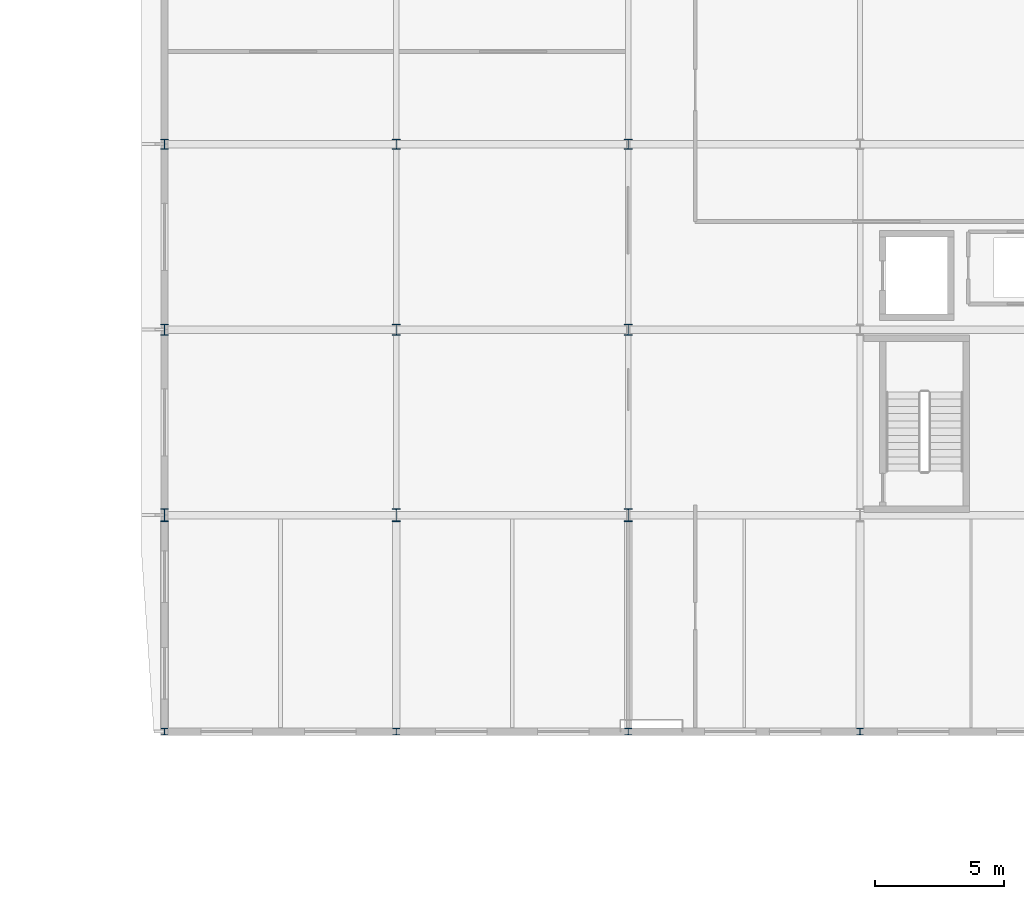
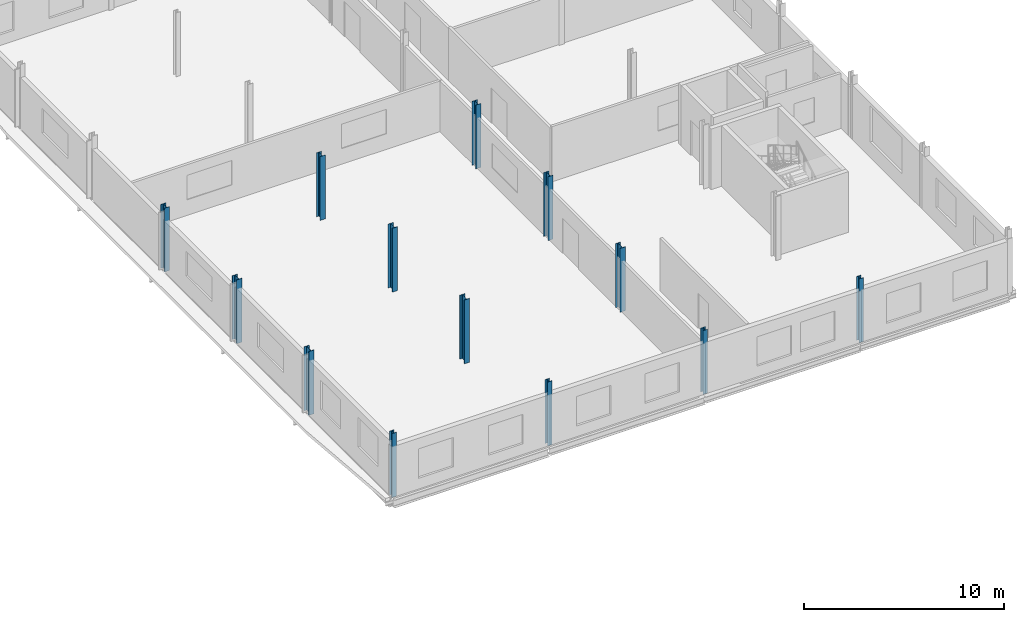
# One storey, part 5 of 49: 13 columns.
"""IFC4 building model written with IfcOpenShell, lengths in metres."""

import ifcopenshell
import ifcopenshell.guid

model = None  # the IFC model being written
_history = None  # IfcOwnerHistory: only IFC2X3 demands one
_inside = {}  # id of a spatial element -> (the spatial element, [elements in it])
_under = {}  # id of a project, library or spatial element -> (it, [spatial elements below it])
_declared = {}  # id of a project -> (the project, [libraries it declares])
_typed = {}  # id of a type object -> (the type object, [elements of that type])
_made_of = {}  # id of a material, layer set ... -> (it, [elements and type objects made of it])


def new_model(schema):
    """Start an empty IFC model of exactly this schema.

    Asked for "IFC4X3", IfcOpenShell would pick the latest addendum, in which some entities
    have other attributes; the version numbers below select the first issue.
    IFC2X3 requires an IfcOwnerHistory on every rooted entity: one is made here for all.
    """
    global model, _history
    if schema == "IFC4X3":
        model = ifcopenshell.file(schema_version=(4, 3, 0, 0))
    else:
        model = ifcopenshell.file(schema=schema)
    _inside.clear()
    _under.clear()
    _declared.clear()
    _typed.clear()
    _made_of.clear()
    _history = None
    if model.schema == "IFC2X3":
        org = make("IfcOrganization", Name="unknown")
        user = make(
            "IfcPersonAndOrganization",
            ThePerson=make("IfcPerson", FamilyName="unknown"),
            TheOrganization=org,
        )
        app = make(
            "IfcApplication",
            ApplicationDeveloper=org,
            Version="unknown",
            ApplicationFullName="unknown",
            ApplicationIdentifier="unknown",
        )
        _history = make(
            "IfcOwnerHistory",
            OwningUser=user,
            OwningApplication=app,
            ChangeAction="ADDED",
            CreationDate=0,
        )
    return model


def make(cls, **values):
    """One entity of the class cls with the attributes given. An attribute that is None is left unset."""
    return model.create_entity(
        cls, **{name: value for name, value in values.items() if value is not None}
    )


def rooted(cls, **values):
    """An entity with a GlobalId (a new one), such as an element, a storey or a relation."""
    return make(cls, GlobalId=ifcopenshell.guid.new(), OwnerHistory=_history, **values)


def si_unit(unit_type, name, prefix=None):
    """IfcSIUnit, for example si_unit("LENGTHUNIT", "METRE", prefix="MILLI")."""
    return make("IfcSIUnit", UnitType=unit_type, Prefix=prefix, Name=name)


def assignment(units):
    """IfcUnitAssignment: the units of a project."""
    return None if units is None else make("IfcUnitAssignment", Units=units)


def point(xyz):
    """IfcCartesianPoint."""
    return None if xyz is None else make("IfcCartesianPoint", Coordinates=xyz)


def direction(xyz):
    """IfcDirection."""
    return None if xyz is None else make("IfcDirection", DirectionRatios=xyz)


def frame(location, z_axis=None, x_axis=None):
    """IfcAxis2Placement3D, a coordinate frame: its origin and axes. An axis left out is left unset."""
    return make(
        "IfcAxis2Placement3D",
        Location=point(location),
        Axis=direction(z_axis),
        RefDirection=direction(x_axis),
    )


def frame_2d(location, x_axis=None):
    """IfcAxis2Placement2D, a coordinate frame in the plane: its origin and x axis."""
    return make(
        "IfcAxis2Placement2D", Location=point(location), RefDirection=direction(x_axis)
    )


def origin():
    """The frame at (0, 0, 0) with its axes left unset."""
    return frame((0.0, 0.0, 0.0))


def origin_2d():
    """The frame at (0, 0) in the plane with its x axis left unset."""
    return frame_2d((0.0, 0.0))


def place(relative_to, where):
    """IfcLocalPlacement: puts the frame where relative to a parent placement (None: the world)."""
    return make(
        "IfcLocalPlacement", PlacementRelTo=relative_to, RelativePlacement=where
    )


def context(
    kind, dimensions, precision=None, world=None, true_north=None, identifier=None
):
    """IfcGeometricRepresentationContext, for example the 3D "Model" context."""
    return make(
        "IfcGeometricRepresentationContext",
        ContextIdentifier=identifier,
        ContextType=kind,
        CoordinateSpaceDimension=dimensions,
        Precision=precision,
        WorldCoordinateSystem=world,
        TrueNorth=true_north,
    )


def subcontext(parent, identifier, kind, view, scale=None):
    """IfcGeometricRepresentationSubContext, for example "Body" below "Model"."""
    return make(
        "IfcGeometricRepresentationSubContext",
        ContextIdentifier=identifier,
        ContextType=kind,
        ParentContext=parent,
        TargetScale=scale,
        TargetView=view,
    )


def project(units=None, contexts=None):
    """IfcProject with its units and contexts."""
    return rooted(
        "IfcProject",
        Name="project",
        RepresentationContexts=contexts,
        UnitsInContext=assignment(units),
    )


def spatial(cls, under=None, at=None, **own):
    """A site, building, storey or space (cls), placed at a placement, below another one or the project."""
    s = rooted(cls, ObjectPlacement=at, **own)
    if under is not None:
        _under.setdefault(under.id(), (under, []))[1].append(s)
    return s


def profile(cls, at=None, kind="AREA", **sizes):
    """A parametric profile (cls). Its sizes go by their IFC names, for example OverallWidth=200.0."""
    return make(cls, ProfileType=kind, Position=at, **sizes)


def i_section(**sizes):
    """IfcIShapeProfileDef."""
    return profile("IfcIShapeProfileDef", **sizes)


def extrude(swept, where, along, depth):
    """IfcExtrudedAreaSolid: the profile swept, set in the frame where, extruded along a direction by depth."""
    return make(
        "IfcExtrudedAreaSolid",
        SweptArea=swept,
        Position=where,
        ExtrudedDirection=direction(along),
        Depth=depth,
    )


def shape(context_of_items, identifier, shape_type, items):
    """IfcShapeRepresentation: the items that make up one representation, for example the "Body"."""
    return make(
        "IfcShapeRepresentation",
        ContextOfItems=context_of_items,
        RepresentationIdentifier=identifier,
        RepresentationType=shape_type,
        Items=items,
    )


def material(Name=None, Category=None):
    """IfcMaterial."""
    return make("IfcMaterial", Name=Name, Category=Category)


def material_profile(
    of_material, cross_section, Name=None, Category=None, Priority=None
):
    """IfcMaterialProfile: a cross section and its material."""
    return make(
        "IfcMaterialProfile",
        Name=Name,
        Material=of_material,
        Profile=cross_section,
        Priority=Priority,
        Category=Category,
    )


def profile_set(profiles, Name=None, composite=None):
    """IfcMaterialProfileSet."""
    return make(
        "IfcMaterialProfileSet",
        Name=Name,
        MaterialProfiles=profiles,
        CompositeProfile=composite,
    )


def made_of(thing, what):
    """Note that an element or type object is made of a material, layer set ...; save() writes the relation."""
    if what is not None:
        _made_of.setdefault(what.id(), (what, []))[1].append(thing)
    return thing


def type_object(cls, material=None, **own):
    """A type object (cls), such as IfcWallType, which elements share."""
    return made_of(rooted(cls, **own), material)


def element(
    cls,
    number,
    at=None,
    inside=None,
    cuts=None,
    type_object=None,
    material=None,
    context=None,
    identifier="Body",
    shape_type=None,
    held_by="IfcProductDefinitionShape",
    body=None,
    shapes=None,
    **own,
):
    """One element of the class cls, such as IfcWall. Its Tag is "e" and its number.

    at: its placement. inside: the storey or other place that contains it. cuts: it is an
    opening in that element (IfcRelVoidsElement). A single representation is given by context,
    identifier, shape_type and body (its items); several are given by shapes. held_by: the class
    of the entity that holds the representations. save() writes the other relations.
    """
    e = rooted(cls, Tag="e%d" % number, ObjectPlacement=at, **own)
    if body is not None:
        shapes = [shape(context, identifier, shape_type, body)]
    if shapes is not None:
        e.Representation = make(held_by, Representations=shapes)
    if inside is not None:
        _inside.setdefault(inside.id(), (inside, []))[1].append(e)
    if cuts is not None:
        rooted(
            "IfcRelVoidsElement", RelatingBuildingElement=cuts, RelatedOpeningElement=e
        )
    if type_object is not None:
        _typed.setdefault(type_object.id(), (type_object, []))[1].append(e)
    return made_of(e, material)


def aggregate(whole, parts):
    """IfcRelAggregates: a whole, such as a stair, and the parts it consists of."""
    return rooted("IfcRelAggregates", RelatingObject=whole, RelatedObjects=parts)


def save(model, path):
    """Write the relations noted so far, then the file.

    IfcRelAggregates (storeys below a building ...), IfcRelContainedInSpatialStructure (elements
    in a storey), IfcRelDefinesByType, IfcRelAssociatesMaterial and IfcRelDeclares: one each for
    every whole, place, type object, material and project.
    """
    for whole, parts in _under.values():
        aggregate(whole, parts)
    for where, things in _inside.values():
        rooted(
            "IfcRelContainedInSpatialStructure",
            RelatedElements=things,
            RelatingStructure=where,
        )
    for kind, things in _typed.values():
        rooted("IfcRelDefinesByType", RelatedObjects=things, RelatingType=kind)
    for what, things in _made_of.values():
        rooted("IfcRelAssociatesMaterial", RelatedObjects=things, RelatingMaterial=what)
    for by, libraries in _declared.values():
        rooted("IfcRelDeclares", RelatingContext=by, RelatedDefinitions=libraries)
    model.write(path)


model = new_model("IFC4")

# Units and contexts
model_context = context("Model", 3, precision=1e-05, world=origin(), true_north=direction((0.0, 1.0)))
body_context = subcontext(model_context, "Body", "Model", "MODEL_VIEW")
ifc_project = project(units=[si_unit("LENGTHUNIT", "METRE"), si_unit("AREAUNIT", "SQUARE_METRE"), si_unit("VOLUMEUNIT", "CUBIC_METRE"), si_unit("PLANEANGLEUNIT", "RADIAN"), si_unit("MASSUNIT", "GRAM", prefix="KILO")], contexts=[model_context])

# Site, building, storey
site_placement = place(None, origin())
site = spatial("IfcSite", under=ifc_project, at=site_placement, CompositionType="ELEMENT")
building_placement = place(site_placement, origin())
building = spatial("IfcBuilding", under=site, at=building_placement, Name="Vinh Khe Railworks Police Headquarters", CompositionType="ELEMENT")
storey_placement = place(building_placement, frame((0.0, 0.0, 17.10009765625)))
storey = spatial("IfcBuildingStorey", under=building, at=storey_placement, Name="L04", CompositionType="ELEMENT", Elevation=17.10009765625)

# Columns
ifc_material = material(Name="Steel S355JR", Category="steel")
ifc_material_profile_1 = material_profile(ifc_material, i_section(OverallWidth=0.300048828125, OverallDepth=0.389892578125, WebThickness=0.010986328125, FlangeThickness=0.01904296875, FilletRadius=0.027099609375, at=origin_2d()), Name="HEA 400")
ifc_profile_set_1 = profile_set([ifc_material_profile_1], Name="Steel S355JR")
column_type_1 = type_object("IfcColumnType", Name="Steel Column HEA 400", PredefinedType="COLUMN", material=ifc_profile_set_1)
for number, where, z_axis, x_axis, name in (
    (1, (78.0, 145.199951171875, 0.0), (0.0, 0.0, 1.0), (1.0, 0.0, 0.0), "Column COL-L04-SC-15-1189"),
    (2, (87.0, 145.199951171875, 0.0), (0.0, 0.0, 1.0), (1.0, 0.0, 0.0), "Column COL-L04-SC-15-1250"),
    (3, (96.0, 145.199951171875, 0.0), (0.0, 0.0, 1.0), (1.0, 0.0, 0.0), "Column COL-L04-SC-15-1311"),
):
    element("IfcColumn", number, at=place(storey_placement, frame(where, z_axis=z_axis, x_axis=x_axis)), inside=storey, type_object=column_type_1, Name=name, PredefinedType="COLUMN", context=body_context, shape_type="SweptSolid", body=[
        extrude(i_section(OverallWidth=0.300048828125, OverallDepth=0.389892578125, WebThickness=0.010986328125, FlangeThickness=0.01904296875, FilletRadius=0.027099609375, at=origin_2d()), origin(), (0.0, 0.0, 1.0), 3.89990234375),
    ])
ifc_material_profile_2 = material_profile(ifc_material, i_section(OverallWidth=0.300048828125, OverallDepth=0.43994140625, WebThickness=0.011474609375, FlangeThickness=0.02099609375, FilletRadius=0.027099609375, at=origin_2d()), Name="HEA 450")
ifc_profile_set_2 = profile_set([ifc_material_profile_2], Name="Steel S355JR")
column_type_2 = type_object("IfcColumnType", Name="Steel Column HEA 450", PredefinedType="COLUMN", material=ifc_profile_set_2)
for number, where, z_axis, x_axis, name in (
    (4, (78.0, 138.0, 0.0), (0.0, 0.0, 1.0), (1.0, 0.0, 0.0), "Column COL-L04-SC-14-1182"),
    (5, (87.0, 138.0, 0.0), (0.0, 0.0, 1.0), (1.0, 0.0, 0.0), "Column COL-L04-SC-14-1243"),
    (6, (96.0, 138.0, 0.0), (0.0, 0.0, 1.0), (1.0, 0.0, 0.0), "Column COL-L04-SC-14-1304"),
):
    element("IfcColumn", number, at=place(storey_placement, frame(where, z_axis=z_axis, x_axis=x_axis)), inside=storey, type_object=column_type_2, Name=name, PredefinedType="COLUMN", context=body_context, shape_type="SweptSolid", body=[
        extrude(i_section(OverallWidth=0.300048828125, OverallDepth=0.43994140625, WebThickness=0.011474609375, FlangeThickness=0.02099609375, FilletRadius=0.027099609375, at=origin_2d()), origin(), (0.0, 0.0, 1.0), 3.89990234375),
    ])
ifc_material_profile_3 = material_profile(ifc_material, i_section(OverallWidth=0.300048828125, OverallDepth=0.489990234375, WebThickness=0.011962890625, FlangeThickness=0.02294921875, FilletRadius=0.027099609375, at=origin_2d()), Name="HEA 500")
ifc_profile_set_3 = profile_set([ifc_material_profile_3], Name="Steel S355JR")
column_type_3 = type_object("IfcColumnType", Name="Steel Column HEA 500", PredefinedType="COLUMN", material=ifc_profile_set_3)
for number, where, z_axis, x_axis, name in (
    (7, (78.0, 130.800048828125, 0.0), (0.0, 0.0, 1.0), (1.0, 0.0, 0.0), "Column COL-L04-SC-13-1175"),
    (8, (87.0, 130.800048828125, 0.0), (0.0, 0.0, 1.0), (1.0, 0.0, 0.0), "Column COL-L04-SC-13-1236"),
    (9, (96.0, 130.800048828125, 0.0), (0.0, 0.0, 1.0), (1.0, 0.0, 0.0), "Column COL-L04-SC-13-1297"),
):
    element("IfcColumn", number, at=place(storey_placement, frame(where, z_axis=z_axis, x_axis=x_axis)), inside=storey, type_object=column_type_3, Name=name, PredefinedType="COLUMN", context=body_context, shape_type="SweptSolid", body=[
        extrude(i_section(OverallWidth=0.300048828125, OverallDepth=0.489990234375, WebThickness=0.011962890625, FlangeThickness=0.02294921875, FilletRadius=0.027099609375, at=origin_2d()), origin(), (0.0, 0.0, 1.0), 3.89990234375),
    ])
ifc_material_profile_4 = material_profile(ifc_material, i_section(OverallWidth=0.260009765625, OverallDepth=0.260009765625, WebThickness=0.010009765625, FlangeThickness=0.017578125, FilletRadius=0.02392578125, at=origin_2d()), Name="HEB 260")
ifc_profile_set_4 = profile_set([ifc_material_profile_4], Name="Steel S355JR")
column_type_4 = type_object("IfcColumnType", Name="Steel Column HEB 260", PredefinedType="COLUMN", material=ifc_profile_set_4)
for number, where, z_axis, x_axis, name in (
    (10, (78.0, 122.39990234375, 0.0), (0.0, 0.0, 1.0), (1.0, 0.0, 0.0), "Column COL-L04-SC-12-1168"),
    (11, (87.0, 122.39990234375, 0.0), (0.0, 0.0, 1.0), (1.0, 0.0, 0.0), "Column COL-L04-SC-12-1229"),
    (12, (96.0, 122.39990234375, 0.0), (0.0, 0.0, 1.0), (1.0, 0.0, 0.0), "Column COL-L04-SC-12-1290"),
    (13, (105.0, 122.39990234375, 0.0), (0.0, 0.0, 1.0), (1.0, 0.0, 0.0), "Column COL-L04-SC-12-1351"),
):
    element("IfcColumn", number, at=place(storey_placement, frame(where, z_axis=z_axis, x_axis=x_axis)), inside=storey, type_object=column_type_4, Name=name, PredefinedType="COLUMN", context=body_context, shape_type="SweptSolid", body=[
        extrude(i_section(OverallWidth=0.260009765625, OverallDepth=0.260009765625, WebThickness=0.010009765625, FlangeThickness=0.017578125, FilletRadius=0.02392578125, at=origin_2d()), origin(), (0.0, 0.0, 1.0), 3.89990234375),
    ])

save(model, "model.ifc")
